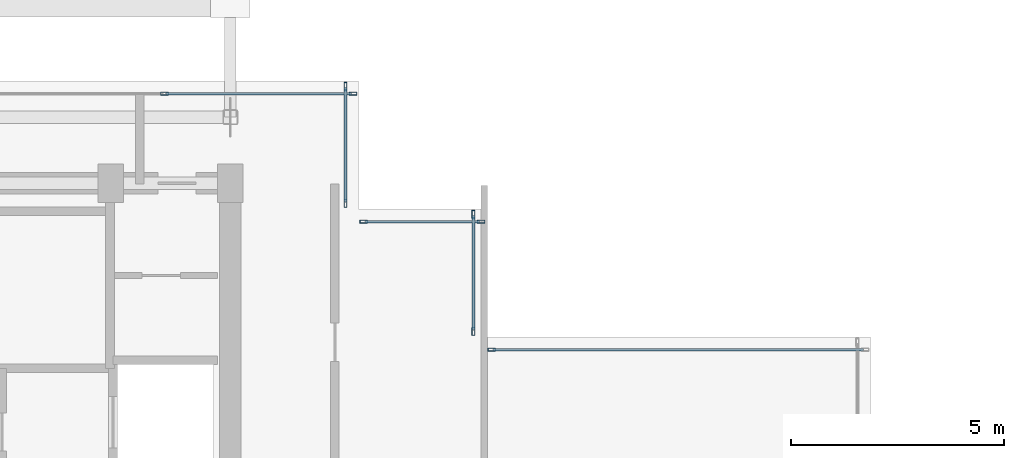
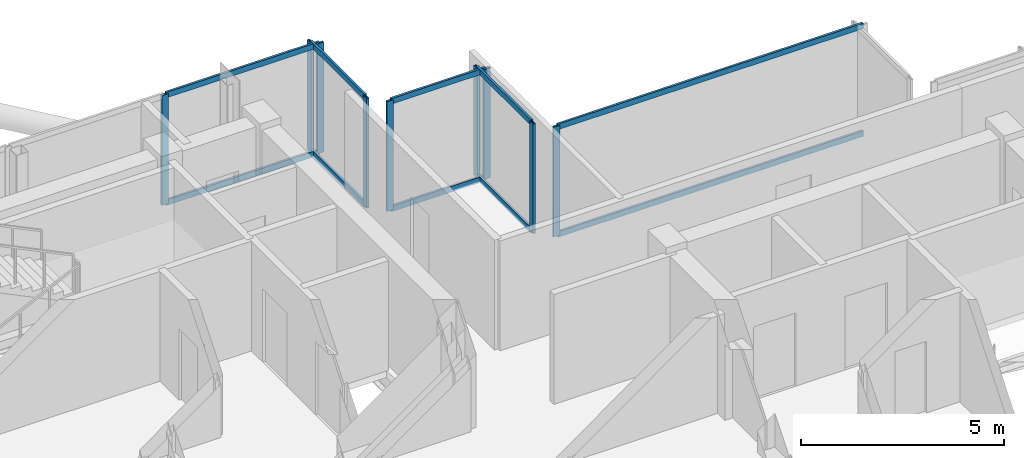
# One storey, part 10 of 18: 19 members, 5 elements without a shape of their own.
"""IFC4 building model written with IfcOpenShell, lengths in metres."""

from ifc_helpers import new_model, si_unit, direction, frame, origin, origin_2d, place, context, subcontext, project, spatial, hollow_rectangle, extrude, material, layer, layer_set, material_profile, profile_set, type_object, element, aggregate, save


model = new_model("IFC4")

# Units and contexts
model_context = context("Model", 3, precision=1e-05, world=origin(), true_north=direction((0.0, 1.0)))
body_context = subcontext(model_context, "Body", "Model", "MODEL_VIEW")
ifc_project = project(units=[si_unit("LENGTHUNIT", "METRE"), si_unit("AREAUNIT", "SQUARE_METRE"), si_unit("VOLUMEUNIT", "CUBIC_METRE"), si_unit("PLANEANGLEUNIT", "RADIAN"), si_unit("MASSUNIT", "GRAM", prefix="KILO"), si_unit("THERMODYNAMICTEMPERATUREUNIT", "KELVIN"), si_unit("POWERUNIT", "WATT")], contexts=[model_context])

# Site, building, storey
site_placement = place(None, origin())
site = spatial("IfcSite", under=ifc_project, at=site_placement, CompositionType="ELEMENT")
building_placement = place(site_placement, origin())
building = spatial("IfcBuilding", under=site, at=building_placement, Name="Svarakhadi Broadcast Tower", CompositionType="ELEMENT")
storey_placement = place(building_placement, frame((0.0, 0.0, 278.199951171875)))
storey = spatial("IfcBuildingStorey", under=building, at=storey_placement, Name="L70", CompositionType="ELEMENT", Elevation=278.199951171875)

# Curtain wall, members
ifc_material = material(Name="Anodised Bronze Aluminium AA 6063-T6", Category="aluminium")
ifc_layer = layer(ifc_material, 0.179931640625)
ifc_layer_set = layer_set([ifc_layer], Name="Anodised Bronze Aluminium AA 6063-T6")
curtain_wall_type = type_object("IfcCurtainWallType", Name="CW_Sys_05", PredefinedType="NOTDEFINED", material=ifc_layer_set)
curtain_wall_1_placement = place(storey_placement, origin())
curtain_wall_1 = element("IfcCurtainWall", 1, at=curtain_wall_1_placement, inside=storey, type_object=curtain_wall_type, Name="L70 Unitised Facade Curtain Wall 06", PredefinedType="NOTDEFINED")
ifc_material_profile_1 = material_profile(ifc_material, hollow_rectangle(XDim=0.070068359375, YDim=0.179931640625, WallThickness=0.005615234375, at=origin_2d()), Name="ALU MULLION 180x70x6")
ifc_profile_set_1 = profile_set([ifc_material_profile_1], Name="Anodised Bronze Aluminium AA 6063-T6")
member_type_1 = type_object("IfcMemberType", Name="CW_Sys_05_Mul", PredefinedType="MULLION", material=ifc_profile_set_1)
member_1_placement = place(storey_placement, frame((16.455078125, 29.699951171875, 0.0), z_axis=(0.0, 0.0, 1.0), x_axis=(0.0, 1.0, 0.0)))
member_1 = element("IfcMember", 2, at=member_1_placement, type_object=member_type_1, Name="CW-05 mullion 4", PredefinedType="MULLION", context=body_context, shape_type="SweptSolid", body=[
    extrude(hollow_rectangle(XDim=0.070068359375, YDim=0.179931640625, WallThickness=0.005615234375, at=origin_2d()), origin(), (0.0, 0.0, 1.0), 3.300048828125),
])
member_2_placement = place(storey_placement, frame((20.875, 29.699951171875, 0.0), z_axis=(0.0, 0.0, 1.0), x_axis=(0.0, 1.0, 0.0)))
member_2 = element("IfcMember", 3, at=member_2_placement, type_object=member_type_1, Name="CW-05 mullion 5", PredefinedType="MULLION", context=body_context, shape_type="SweptSolid", body=[
    extrude(hollow_rectangle(XDim=0.070068359375, YDim=0.179931640625, WallThickness=0.005615234375, at=origin_2d()), origin(), (0.0, 0.0, 1.0), 3.300048828125),
])

curtain_wall_2_placement = place(storey_placement, origin())
curtain_wall_2 = element("IfcCurtainWall", 4, at=curtain_wall_2_placement, inside=storey, type_object=curtain_wall_type, Name="L70 Unitised Facade Curtain Wall 07", PredefinedType="NOTDEFINED")
member_3_placement = place(storey_placement, frame((20.699951171875, 29.875, 0.0), z_axis=(0.0, 0.0, 1.0), x_axis=(1.0, 0.0, 0.0)))
member_3 = element("IfcMember", 5, at=member_3_placement, type_object=member_type_1, Name="CW-05 mullion 1", PredefinedType="MULLION", context=body_context, shape_type="SweptSolid", body=[
    extrude(hollow_rectangle(XDim=0.070068359375, YDim=0.179931640625, WallThickness=0.005615234375, at=origin_2d()), origin(), (0.0, 0.0, 1.0), 3.300048828125),
])
member_4_placement = place(storey_placement, frame((20.699951171875, 27.125, 0.0), z_axis=(0.0, 0.0, 1.0), x_axis=(1.0, 0.0, 0.0)))
member_4 = element("IfcMember", 6, at=member_4_placement, type_object=member_type_1, Name="CW-05 mullion 2", PredefinedType="MULLION", context=body_context, shape_type="SweptSolid", body=[
    extrude(hollow_rectangle(XDim=0.070068359375, YDim=0.179931640625, WallThickness=0.005615234375, at=origin_2d()), origin(), (0.0, 0.0, 1.0), 3.300048828125),
])

curtain_wall_3_placement = place(storey_placement, origin())
curtain_wall_3 = element("IfcCurtainWall", 7, at=curtain_wall_3_placement, inside=storey, type_object=curtain_wall_type, Name="L70 Unitised Facade Curtain Wall 08", PredefinedType="NOTDEFINED")
member_5_placement = place(storey_placement, frame((21.125, 26.699951171875, 0.0), z_axis=(0.0, 0.0, 1.0), x_axis=(0.0, 1.0, 0.0)))
member_5 = element("IfcMember", 8, at=member_5_placement, type_object=member_type_1, Name="CW-05 mullion 1", PredefinedType="MULLION", context=body_context, shape_type="SweptSolid", body=[
    extrude(hollow_rectangle(XDim=0.070068359375, YDim=0.179931640625, WallThickness=0.005615234375, at=origin_2d()), origin(), (0.0, 0.0, 1.0), 3.300048828125),
])
member_6_placement = place(storey_placement, frame((23.875, 26.699951171875, 0.0), z_axis=(0.0, 0.0, 1.0), x_axis=(0.0, 1.0, 0.0)))
member_6 = element("IfcMember", 9, at=member_6_placement, type_object=member_type_1, Name="CW-05 mullion 2", PredefinedType="MULLION", context=body_context, shape_type="SweptSolid", body=[
    extrude(hollow_rectangle(XDim=0.070068359375, YDim=0.179931640625, WallThickness=0.005615234375, at=origin_2d()), origin(), (0.0, 0.0, 1.0), 3.300048828125),
])

curtain_wall_4_placement = place(storey_placement, origin())
curtain_wall_4 = element("IfcCurtainWall", 10, at=curtain_wall_4_placement, inside=storey, type_object=curtain_wall_type, Name="L70 Unitised Facade Curtain Wall 09", PredefinedType="NOTDEFINED")
member_7_placement = place(storey_placement, frame((23.699951171875, 26.875, 0.0), z_axis=(0.0, 0.0, 1.0), x_axis=(1.0, 0.0, 0.0)))
member_7 = element("IfcMember", 11, at=member_7_placement, type_object=member_type_1, Name="CW-05 mullion 1", PredefinedType="MULLION", context=body_context, shape_type="SweptSolid", body=[
    extrude(hollow_rectangle(XDim=0.070068359375, YDim=0.179931640625, WallThickness=0.005615234375, at=origin_2d()), origin(), (0.0, 0.0, 1.0), 3.300048828125),
])
member_8_placement = place(storey_placement, frame((23.699951171875, 24.125, 0.0), z_axis=(0.0, 0.0, 1.0), x_axis=(1.0, 0.0, 0.0)))
member_8 = element("IfcMember", 12, at=member_8_placement, type_object=member_type_1, Name="CW-05 mullion 2", PredefinedType="MULLION", context=body_context, shape_type="SweptSolid", body=[
    extrude(hollow_rectangle(XDim=0.070068359375, YDim=0.179931640625, WallThickness=0.005615234375, at=origin_2d()), origin(), (0.0, 0.0, 1.0), 3.300048828125),
])

# Curtain wall, member
curtain_wall_5_placement = place(storey_placement, origin())
curtain_wall_5 = element("IfcCurtainWall", 13, at=curtain_wall_5_placement, inside=storey, type_object=curtain_wall_type, Name="L70 Unitised Facade Curtain Wall 10", PredefinedType="NOTDEFINED")
member_9_placement = place(storey_placement, frame((24.125, 23.699951171875, 0.0), z_axis=(0.0, 0.0, 1.0), x_axis=(0.0, 1.0, 0.0)))
member_9 = element("IfcMember", 14, at=member_9_placement, type_object=member_type_1, Name="CW-05 mullion 1", PredefinedType="MULLION", context=body_context, shape_type="SweptSolid", body=[
    extrude(hollow_rectangle(XDim=0.070068359375, YDim=0.179931640625, WallThickness=0.005615234375, at=origin_2d()), origin(), (0.0, 0.0, 1.0), 3.300048828125),
])

# Member
ifc_material_profile_2 = material_profile(ifc_material, hollow_rectangle(XDim=0.06494140625, YDim=0.1650390625, WallThickness=0.0048828125, at=origin_2d()), Name="ALU TRANSOM 165x65x5")
ifc_profile_set_2 = profile_set([ifc_material_profile_2], Name="Anodised Bronze Aluminium AA 6063-T6")
member_type_2 = type_object("IfcMemberType", Name="CW_Sys_05_Trn", PredefinedType="USERDEFINED", material=ifc_profile_set_2)
member_10_placement = place(storey_placement, frame((16.489990234375, 29.699951171875, 0.032470703125), z_axis=(1.0, 0.0, 0.0), x_axis=(0.0, 1.0, 0.0)))
member_10 = element("IfcMember", 15, at=member_10_placement, type_object=member_type_2, Name="CW-05 transom 4.1", ObjectType="TRANSOM", PredefinedType="USERDEFINED", context=body_context, shape_type="SweptSolid", body=[
    extrude(hollow_rectangle(XDim=0.06494140625, YDim=0.1650390625, WallThickness=0.0048828125, at=origin_2d()), origin(), (0.0, 0.0, 1.0), 4.35009765625),
])

member_11_placement = place(storey_placement, frame((16.489990234375, 29.699951171875, 3.267578125), z_axis=(1.0, 0.0, 0.0), x_axis=(0.0, 1.0, 0.0)))
member_11 = element("IfcMember", 16, at=member_11_placement, type_object=member_type_2, Name="CW-05 transom 4.2", ObjectType="TRANSOM", PredefinedType="USERDEFINED", context=body_context, shape_type="SweptSolid", body=[
    extrude(hollow_rectangle(XDim=0.06494140625, YDim=0.1650390625, WallThickness=0.0048828125, at=origin_2d()), origin(), (0.0, 0.0, 1.0), 4.35009765625),
])

aggregate(curtain_wall_1, [member_1, member_2, member_10, member_11])

member_12_placement = place(storey_placement, frame((20.699951171875, 29.840087890625, 0.032470703125), z_axis=(0.0, -1.0, 0.0), x_axis=(1.0, 0.0, 0.0)))
member_12 = element("IfcMember", 17, at=member_12_placement, type_object=member_type_2, Name="CW-05 transom 1.1", ObjectType="TRANSOM", PredefinedType="USERDEFINED", context=body_context, shape_type="SweptSolid", body=[
    extrude(hollow_rectangle(XDim=0.06494140625, YDim=0.1650390625, WallThickness=0.0048828125, at=origin_2d()), origin(), (0.0, 0.0, 1.0), 2.68017578125),
])

member_13_placement = place(storey_placement, frame((20.699951171875, 29.840087890625, 3.267578125), z_axis=(0.0, -1.0, 0.0), x_axis=(1.0, 0.0, 0.0)))
member_13 = element("IfcMember", 18, at=member_13_placement, type_object=member_type_2, Name="CW-05 transom 1.2", ObjectType="TRANSOM", PredefinedType="USERDEFINED", context=body_context, shape_type="SweptSolid", body=[
    extrude(hollow_rectangle(XDim=0.06494140625, YDim=0.1650390625, WallThickness=0.0048828125, at=origin_2d()), origin(), (0.0, 0.0, 1.0), 2.68017578125),
])

aggregate(curtain_wall_2, [member_3, member_4, member_12, member_13])

member_14_placement = place(storey_placement, frame((21.159912109375, 26.699951171875, 0.032470703125), z_axis=(1.0, 0.0, 0.0), x_axis=(0.0, 1.0, 0.0)))
member_14 = element("IfcMember", 19, at=member_14_placement, type_object=member_type_2, Name="CW-05 transom 1.1", ObjectType="TRANSOM", PredefinedType="USERDEFINED", context=body_context, shape_type="SweptSolid", body=[
    extrude(hollow_rectangle(XDim=0.06494140625, YDim=0.1650390625, WallThickness=0.0048828125, at=origin_2d()), origin(), (0.0, 0.0, 1.0), 2.68017578125),
])

member_15_placement = place(storey_placement, frame((21.159912109375, 26.699951171875, 3.267578125), z_axis=(1.0, 0.0, 0.0), x_axis=(0.0, 1.0, 0.0)))
member_15 = element("IfcMember", 20, at=member_15_placement, type_object=member_type_2, Name="CW-05 transom 1.2", ObjectType="TRANSOM", PredefinedType="USERDEFINED", context=body_context, shape_type="SweptSolid", body=[
    extrude(hollow_rectangle(XDim=0.06494140625, YDim=0.1650390625, WallThickness=0.0048828125, at=origin_2d()), origin(), (0.0, 0.0, 1.0), 2.68017578125),
])

aggregate(curtain_wall_3, [member_5, member_6, member_14, member_15])

member_16_placement = place(storey_placement, frame((23.699951171875, 26.840087890625, 0.032470703125), z_axis=(0.0, -1.0, 0.0), x_axis=(1.0, 0.0, 0.0)))
member_16 = element("IfcMember", 21, at=member_16_placement, type_object=member_type_2, Name="CW-05 transom 1.1", ObjectType="TRANSOM", PredefinedType="USERDEFINED", context=body_context, shape_type="SweptSolid", body=[
    extrude(hollow_rectangle(XDim=0.06494140625, YDim=0.1650390625, WallThickness=0.0048828125, at=origin_2d()), origin(), (0.0, 0.0, 1.0), 2.68017578125),
])

member_17_placement = place(storey_placement, frame((23.699951171875, 26.840087890625, 3.267578125), z_axis=(0.0, -1.0, 0.0), x_axis=(1.0, 0.0, 0.0)))
member_17 = element("IfcMember", 22, at=member_17_placement, type_object=member_type_2, Name="CW-05 transom 1.2", ObjectType="TRANSOM", PredefinedType="USERDEFINED", context=body_context, shape_type="SweptSolid", body=[
    extrude(hollow_rectangle(XDim=0.06494140625, YDim=0.1650390625, WallThickness=0.0048828125, at=origin_2d()), origin(), (0.0, 0.0, 1.0), 2.68017578125),
])

aggregate(curtain_wall_4, [member_7, member_8, member_16, member_17])

member_18_placement = place(storey_placement, frame((24.159912109375, 23.699951171875, 0.032470703125), z_axis=(1.0, 0.0, 0.0), x_axis=(0.0, 1.0, 0.0)))
member_18 = element("IfcMember", 23, at=member_18_placement, type_object=member_type_2, Name="CW-05 transom 1.1", ObjectType="TRANSOM", PredefinedType="USERDEFINED", context=body_context, shape_type="SweptSolid", body=[
    extrude(hollow_rectangle(XDim=0.06494140625, YDim=0.1650390625, WallThickness=0.0048828125, at=origin_2d()), origin(), (0.0, 0.0, 1.0), 8.68017578125),
])

member_19_placement = place(storey_placement, frame((24.159912109375, 23.699951171875, 3.267578125), z_axis=(1.0, 0.0, 0.0), x_axis=(0.0, 1.0, 0.0)))
member_19 = element("IfcMember", 24, at=member_19_placement, type_object=member_type_2, Name="CW-05 transom 1.2", ObjectType="TRANSOM", PredefinedType="USERDEFINED", context=body_context, shape_type="SweptSolid", body=[
    extrude(hollow_rectangle(XDim=0.06494140625, YDim=0.1650390625, WallThickness=0.0048828125, at=origin_2d()), origin(), (0.0, 0.0, 1.0), 8.68017578125),
])

aggregate(curtain_wall_5, [member_9, member_18, member_19])

save(model, "model.ifc")
